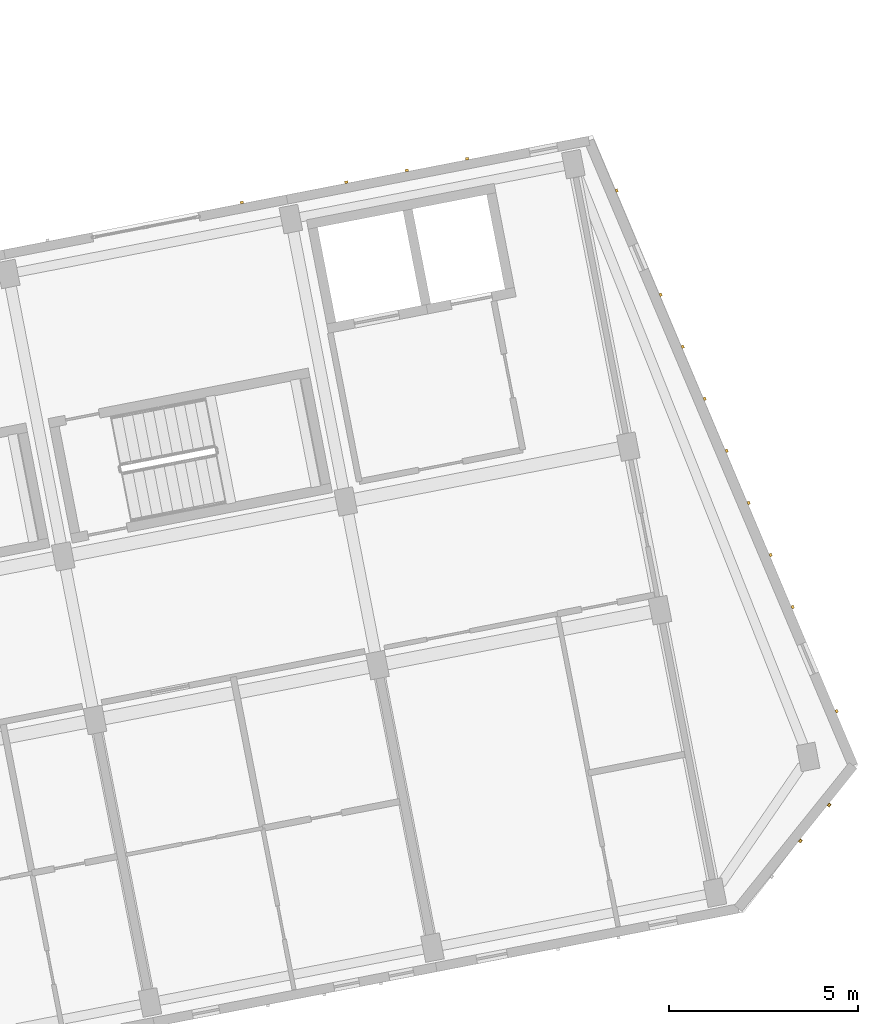
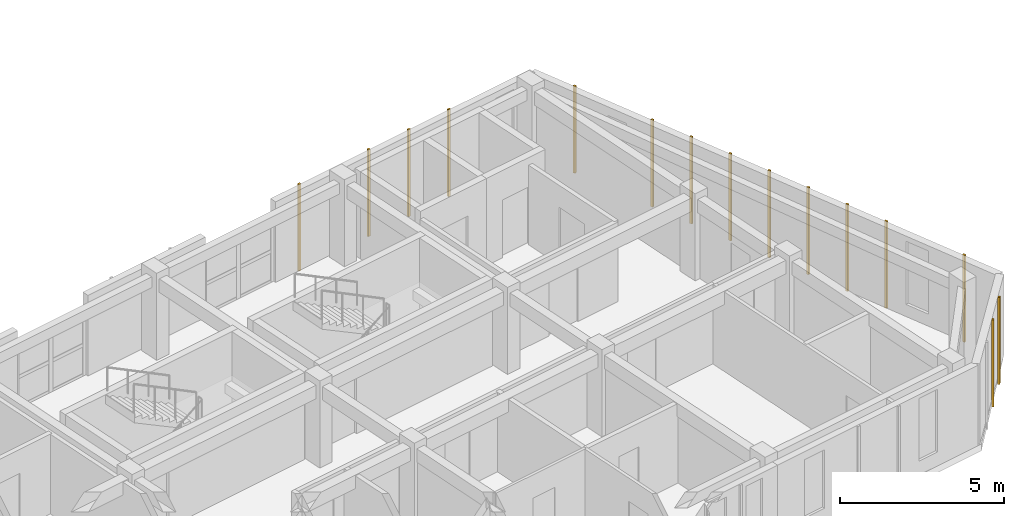
# One storey, part 68 of 74: 15 coverings.
"""IFC4 building model written with IfcOpenShell, lengths in metres."""

from ifc_helpers import new_model, si_unit, direction, frame, origin, origin_2d, place, context, subcontext, project, spatial, rectangle, extrude, material, layer, layer_set, type_object, element, save


model = new_model("IFC4")

# Units and contexts
model_context = context("Model", 3, precision=1e-05, world=origin(), true_north=direction((0.0, 1.0)))
body_context = subcontext(model_context, "Body", "Model", "MODEL_VIEW")
ifc_project = project(units=[si_unit("LENGTHUNIT", "METRE"), si_unit("AREAUNIT", "SQUARE_METRE"), si_unit("VOLUMEUNIT", "CUBIC_METRE"), si_unit("PLANEANGLEUNIT", "RADIAN"), si_unit("MASSUNIT", "GRAM", prefix="KILO")], contexts=[model_context])

# Site, building, storey
site_placement = place(None, origin())
site = spatial("IfcSite", under=ifc_project, at=site_placement, CompositionType="ELEMENT")
building_placement = place(site_placement, origin())
building = spatial("IfcBuilding", under=site, at=building_placement, Name="Kestramere Prow Commons", CompositionType="ELEMENT")
storey_placement = place(building_placement, frame((0.0, 0.0, 11.64990234375)))
storey = spatial("IfcBuildingStorey", under=building, at=storey_placement, Name="L03", CompositionType="ELEMENT", Elevation=11.64990234375)

# Coverings
ifc_material = material(Name="Weathered Zinc-Titanium Standing-Seam Cladding")
ifc_layer = layer(ifc_material, 0.074951171875)
ifc_layer_set = layer_set([ifc_layer], Name="Weathered Zinc-Titanium Standing-Seam Cladding")
covering_type = type_object("IfcCoveringType", Name="COV-CLAD-SEAM", PredefinedType="CLADDING", material=ifc_layer_set)
for number, where, z_axis, x_axis, name in (
    (1, (150.6669921875, 60.92919921875, -0.25), (0.0, 0.0, 1.0), (0.981627183448, 0.190808995377, 0.0), "EW-D-L03-NP-4-R Standing-Seam Rib 1"),
    (2, (153.427734375, 61.4658203125, -0.25), (0.0, 0.0, 1.0), (0.981627183448, 0.190808995377, 0.0), "EW-D-L03-N-5 Standing-Seam Rib 1"),
    (3, (155.02294921875, 61.77587890625, -0.25), (0.0, 0.0, 1.0), (0.981627183448, 0.190808995377, 0.0), "EW-D-L03-N-5 Standing-Seam Rib 2"),
    (4, (156.6181640625, 62.0859375, -0.25), (0.0, 0.0, 1.0), (0.981627183448, 0.190808995377, 0.0), "EW-D-L03-N-5 Standing-Seam Rib 3"),
    (5, (160.568115234375, 61.24462890625, -0.25), (0.0, 0.0, 1.0), (0.389220414317, -0.92114465155, 0.0), "EW-D-L03-PRW-N Standing-Seam Rib 1"),
    (6, (161.72998046875, 58.4951171875, -0.25), (0.0, 0.0, 1.0), (0.389220414317, -0.92114465155, 0.0), "EW-D-L03-PRW-N Standing-Seam Rib 3"),
    (7, (162.310791015625, 57.1201171875, -0.25), (0.0, 0.0, 1.0), (0.389220414317, -0.92114465155, 0.0), "EW-D-L03-PRW-N Standing-Seam Rib 4"),
    (8, (162.891845703125, 55.745361328125, -0.25), (0.0, 0.0, 1.0), (0.389220414317, -0.92114465155, 0.0), "EW-D-L03-PRW-N Standing-Seam Rib 5"),
    (9, (163.47265625, 54.37060546875, -0.25), (0.0, 0.0, 1.0), (0.389220414317, -0.92114465155, 0.0), "EW-D-L03-PRW-N Standing-Seam Rib 6"),
    (10, (164.0537109375, 52.995849609375, -0.25), (0.0, 0.0, 1.0), (0.389220414317, -0.92114465155, 0.0), "EW-D-L03-PRW-N Standing-Seam Rib 7"),
    (11, (164.634521484375, 51.620849609375, -0.25), (0.0, 0.0, 1.0), (0.389220414317, -0.92114465155, 0.0), "EW-D-L03-PRW-N Standing-Seam Rib 8"),
    (12, (165.215576171875, 50.24609375, -0.25), (0.0, 0.0, 1.0), (0.389220414317, -0.92114465155, 0.0), "EW-D-L03-PRW-N Standing-Seam Rib 9"),
    (13, (166.37744140625, 47.496337890625, -0.25), (0.0, 0.0, 1.0), (0.389220414317, -0.92114465155, 0.0), "EW-D-L03-PRW-N Standing-Seam Rib 11"),
    (14, (166.177490234375, 45.013427734375, -0.25), (0.0, 0.0, 1.0), (-0.626297717754, -0.779583971575, 0.0), "EW-D-L03-PRW-S Standing-Seam Rib 1"),
    (15, (165.419921875, 44.0703125, -0.25), (0.0, 0.0, 1.0), (-0.626297717754, -0.779583971575, 0.0), "EW-D-L03-PRW-S Standing-Seam Rib 2"),
):
    element("IfcCovering", number, at=place(storey_placement, frame(where, z_axis=z_axis, x_axis=x_axis)), inside=storey, type_object=covering_type, Name=name, PredefinedType="CLADDING", context=body_context, shape_type="SweptSolid", body=[
        extrude(rectangle(XDim=0.0849609375, YDim=0.06494140625, at=origin_2d()), origin(), (0.0, 0.0, 1.0), 3.25),
    ])

save(model, "model.ifc")
